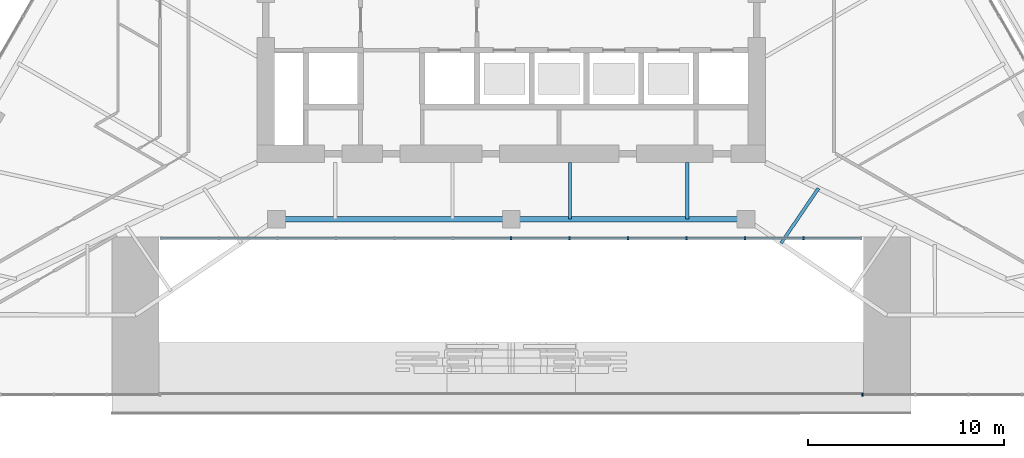
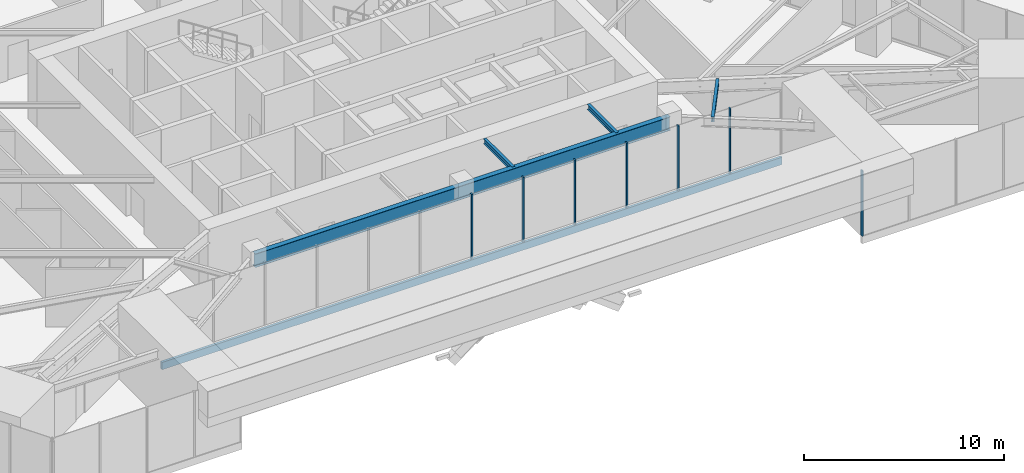
# One storey, part 5 of 23: 8 members, 4 beams, 2 elements without a shape of their own.
"""IFC4 building model written with IfcOpenShell, lengths in metres."""

from ifc_helpers import new_model, si_unit, direction, frame, origin, origin_2d, place, context, subcontext, project, spatial, rectangle, i_section, extrude, material, layer, layer_set, material_profile, profile_set, type_object, element, aggregate, save


model = new_model("IFC4")

# Units and contexts
model_context = context("Model", 3, precision=1e-05, world=origin(), true_north=direction((0.0, 1.0)))
body_context = subcontext(model_context, "Body", "Model", "MODEL_VIEW")
ifc_project = project(units=[si_unit("LENGTHUNIT", "METRE"), si_unit("AREAUNIT", "SQUARE_METRE"), si_unit("VOLUMEUNIT", "CUBIC_METRE"), si_unit("PLANEANGLEUNIT", "RADIAN"), si_unit("MASSUNIT", "GRAM", prefix="KILO")], contexts=[model_context])

# Site, building, storey
site_placement = place(None, origin())
site = spatial("IfcSite", under=ifc_project, at=site_placement, CompositionType="ELEMENT")
building_placement = place(site_placement, origin())
building = spatial("IfcBuilding", under=site, at=building_placement, Name="Firuza Gate Tower and Library", CompositionType="ELEMENT")
storey_placement = place(building_placement, frame((0.0, 0.0, 26.39990234375)))
storey = spatial("IfcBuildingStorey", under=building, at=storey_placement, Name="L05", CompositionType="ELEMENT", Elevation=26.39990234375)

# Curtain wall, members
ifc_material_1 = material(Name="Aluminium 6063-T6", Category="aluminium")
ifc_layer_1 = layer(ifc_material_1, 0.14990234375)
ifc_layer_set_1 = layer_set([ifc_layer_1], Name="Stick curtain wall, gate lobby")
curtain_wall_type_1 = type_object("IfcCurtainWallType", Name="Stick curtain wall, gate lobby", PredefinedType="NOTDEFINED", material=ifc_layer_set_1)
placement = place(storey_placement, origin())
curtain_wall_1 = element("IfcCurtainWall", 1, at=placement, inside=storey, type_object=curtain_wall_type_1, Name="CW7 L05 gate lobby", PredefinedType="NOTDEFINED")
ifc_material_2 = material(Name="Aluminium 6063-T6", Category="aluminium")
ifc_material_profile_1 = material_profile(ifc_material_2, rectangle(XDim=0.14990234375, YDim=0.080078125, at=origin_2d()))
ifc_profile_set_1 = profile_set([ifc_material_profile_1], Name="Aluminium 6063-T6")
member_type_1 = type_object("IfcMemberType", Name="Curtain wall mullion 80x150", PredefinedType="MULLION", material=ifc_profile_set_1)
member_1_placement = place(storey_placement, frame((75.0, 62.140380859375, 0.150146484375), z_axis=(0.0, 0.0, 1.0), x_axis=(0.0, 1.0, 0.0)))
member_1 = element("IfcMember", 2, at=member_1_placement, type_object=member_type_1, Name="Mullion", PredefinedType="MULLION", context=body_context, shape_type="SweptSolid", body=[
    extrude(rectangle(XDim=0.14990234375, YDim=0.080078125, at=origin_2d()), origin(), (0.0, 0.0, 1.0), 4.0),
])
member_2_placement = place(storey_placement, frame((77.987548828125, 62.140380859375, 0.150146484375), z_axis=(0.0, 0.0, 1.0), x_axis=(0.0, 1.0, 0.0)))
member_2 = element("IfcMember", 3, at=member_2_placement, type_object=member_type_1, Name="Mullion", PredefinedType="MULLION", context=body_context, shape_type="SweptSolid", body=[
    extrude(rectangle(XDim=0.14990234375, YDim=0.080078125, at=origin_2d()), origin(), (0.0, 0.0, 1.0), 4.0),
])
member_3_placement = place(storey_placement, frame((80.97509765625, 62.140380859375, 0.150146484375), z_axis=(0.0, 0.0, 1.0), x_axis=(0.0, 1.0, 0.0)))
member_3 = element("IfcMember", 4, at=member_3_placement, type_object=member_type_1, Name="Mullion", PredefinedType="MULLION", context=body_context, shape_type="SweptSolid", body=[
    extrude(rectangle(XDim=0.14990234375, YDim=0.080078125, at=origin_2d()), origin(), (0.0, 0.0, 1.0), 4.0),
])
member_4_placement = place(storey_placement, frame((83.96240234375, 62.140380859375, 0.150146484375), z_axis=(0.0, 0.0, 1.0), x_axis=(0.0, 1.0, 0.0)))
member_4 = element("IfcMember", 5, at=member_4_placement, type_object=member_type_1, Name="Mullion", PredefinedType="MULLION", context=body_context, shape_type="SweptSolid", body=[
    extrude(rectangle(XDim=0.14990234375, YDim=0.080078125, at=origin_2d()), origin(), (0.0, 0.0, 1.0), 4.0),
])
member_5_placement = place(storey_placement, frame((86.949951171875, 62.140380859375, 0.150146484375), z_axis=(0.0, 0.0, 1.0), x_axis=(0.0, 1.0, 0.0)))
member_5 = element("IfcMember", 6, at=member_5_placement, type_object=member_type_1, Name="Mullion", PredefinedType="MULLION", context=body_context, shape_type="SweptSolid", body=[
    extrude(rectangle(XDim=0.14990234375, YDim=0.080078125, at=origin_2d()), origin(), (0.0, 0.0, 1.0), 4.0),
])
member_6_placement = place(storey_placement, frame((89.9375, 62.140380859375, 0.150146484375), z_axis=(0.0, 0.0, 1.0), x_axis=(0.0, 1.0, 0.0)))
member_6 = element("IfcMember", 7, at=member_6_placement, type_object=member_type_1, Name="Mullion", PredefinedType="MULLION", context=body_context, shape_type="SweptSolid", body=[
    extrude(rectangle(XDim=0.14990234375, YDim=0.080078125, at=origin_2d()), origin(), (0.0, 0.0, 1.0), 4.0),
])

# Curtain wall, member
ifc_material_3 = material(Name="Aluminium 6063-T6", Category="aluminium")
ifc_layer_2 = layer(ifc_material_3, 0.14990234375)
ifc_layer_set_2 = layer_set([ifc_layer_2], Name="Stick curtain wall, podium")
curtain_wall_type_2 = type_object("IfcCurtainWallType", Name="Stick curtain wall, podium", PredefinedType="NOTDEFINED", material=ifc_layer_set_2)
curtain_wall_2 = element("IfcCurtainWall", 8, at=placement, inside=storey, type_object=curtain_wall_type_2, Name="CW5 L05 S", PredefinedType="NOTDEFINED")
member_7_placement = place(storey_placement, frame((92.965087890625, 54.140380859375, 0.150146484375), z_axis=(0.0, 0.0, 1.0), x_axis=(0.0, 1.0, 0.0)))
member_7 = element("IfcMember", 9, at=member_7_placement, type_object=member_type_1, Name="Mullion", PredefinedType="MULLION", context=body_context, shape_type="SweptSolid", body=[
    extrude(rectangle(XDim=0.14990234375, YDim=0.080078125, at=origin_2d()), origin(), (0.0, 0.0, 1.0), 4.0),
])
aggregate(curtain_wall_2, [member_7])

# Member
ifc_material_4 = material(Name="Aluminium 6063-T6", Category="aluminium")
ifc_material_profile_2 = material_profile(ifc_material_4, rectangle(XDim=0.14990234375, YDim=0.449951171875, at=origin_2d()))
ifc_profile_set_2 = profile_set([ifc_material_profile_2], Name="Aluminium 6063-T6")
member_type_2 = type_object("IfcMemberType", Name="Curtain wall transom 450x150", PredefinedType="USERDEFINED", material=ifc_profile_set_2)
member_8_placement = place(storey_placement, frame((57.074951171875, 62.140380859375, -0.074951171875), z_axis=(1.0, 0.0, 0.0), x_axis=(0.0, 1.0, 0.0)))
member_8 = element("IfcMember", 10, at=member_8_placement, type_object=member_type_2, Name="Transom", ObjectType="TRANSOM", PredefinedType="USERDEFINED", context=body_context, shape_type="SweptSolid", body=[
    extrude(rectangle(XDim=0.14990234375, YDim=0.449951171875, at=origin_2d()), origin(), (0.0, 0.0, 1.0), 35.85009765625),
])

aggregate(curtain_wall_1, [member_1, member_2, member_3, member_4, member_5, member_6, member_8])

# Beams
ifc_material_5 = material(Name="Steel S355", Category="steel")
ifc_material_profile_3 = material_profile(ifc_material_5, i_section(OverallWidth=0.1650390625, OverallDepth=0.31005859375, WebThickness=0.005859375, FlangeThickness=0.009765625, at=origin_2d()))
ifc_profile_set_3 = profile_set([ifc_material_profile_3], Name="Steel S355")
beam_type_1 = type_object("IfcBeamType", Name="W310x39 Floor beam", PredefinedType="JOIST", material=ifc_profile_set_3)
for number, where, z_axis, x_axis, name in (
    (11, (78.0, 63.115478515625, 3.9951171875), (0.0, 1.0, 0.0), (-1.0, 0.0, 0.0), "Floor beam L05 s32"),
    (12, (84.0, 63.115478515625, 3.9951171875), (0.0, 1.0, 0.0), (-1.0, 0.0, 0.0), "Floor beam L05 s33"),
):
    element("IfcBeam", number, at=place(storey_placement, frame(where, z_axis=z_axis, x_axis=x_axis)), inside=storey, type_object=beam_type_1, Name=name, PredefinedType="JOIST", context=body_context, shape_type="SweptSolid", body=[
        extrude(i_section(OverallWidth=0.1650390625, OverallDepth=0.31005859375, WebThickness=0.005859375, FlangeThickness=0.009765625, at=origin_2d()), origin(), (0.0, 0.0, 1.0), 2.884521484375),
    ])
beam_1_placement = place(storey_placement, frame((88.800048828125, 61.890380859375, 3.9951171875), z_axis=(0.562593933168, 0.826733370781, 0.0), x_axis=(-0.826733370781, 0.562593933168, 0.0)))
element("IfcBeam", 13, at=beam_1_placement, inside=storey, type_object=beam_type_1, Name="Floor beam L05 s40", PredefinedType="JOIST", context=body_context, shape_type="SweptSolid", body=[
    extrude(i_section(OverallWidth=0.1650390625, OverallDepth=0.31005859375, WebThickness=0.005859375, FlangeThickness=0.009765625, at=origin_2d()), origin(), (0.0, 0.0, 1.0), 3.386474609375),
])
ifc_material_6 = material(Name="Steel S355", Category="steel")
ifc_material_profile_4 = material_profile(ifc_material_6, i_section(OverallWidth=0.2919921875, OverallDepth=0.8349609375, WebThickness=0.013916015625, FlangeThickness=0.018798828125, at=origin_2d()))
ifc_profile_set_4 = profile_set([ifc_material_profile_4], Name="Steel S355")
beam_type_2 = type_object("IfcBeamType", Name="W840x176 Edge beam", PredefinedType="SPANDREL", material=ifc_profile_set_4)
beam_2_placement = place(storey_placement, frame((63.0, 63.115478515625, 3.732666015625), z_axis=(1.0, 0.0, 0.0), x_axis=(0.0, 1.0, 0.0)))
element("IfcBeam", 14, at=beam_2_placement, inside=storey, type_object=beam_type_2, Name="Edge beam L05 e30", PredefinedType="SPANDREL", context=body_context, shape_type="SweptSolid", body=[
    extrude(i_section(OverallWidth=0.2919921875, OverallDepth=0.8349609375, WebThickness=0.013916015625, FlangeThickness=0.018798828125, at=origin_2d()), origin(), (0.0, 0.0, 1.0), 24.0),
])

save(model, "model.ifc")
